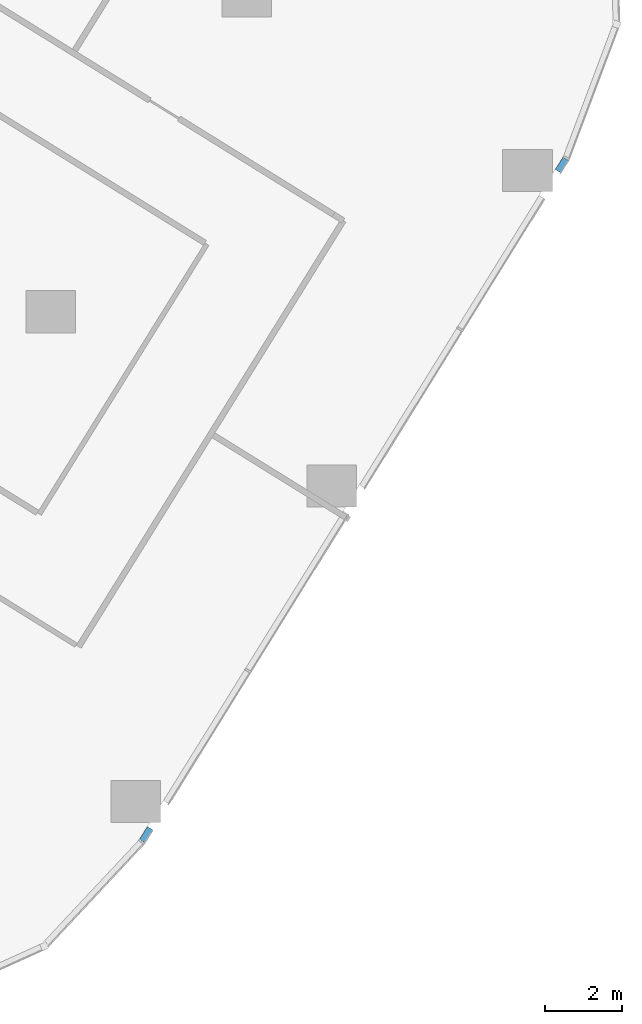
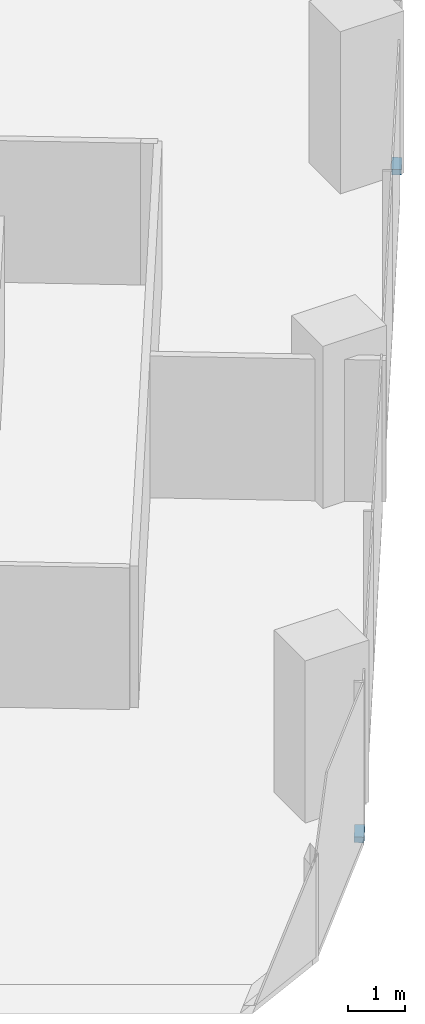
# One storey, part 16 of 34: 2 members, 1 element without a shape of its own.
"""IFC4 building model written with IfcOpenShell, lengths in metres."""

import ifcopenshell
import ifcopenshell.guid

model = None  # the IFC model being written
_history = None  # IfcOwnerHistory: only IFC2X3 demands one
_inside = {}  # id of a spatial element -> (the spatial element, [elements in it])
_under = {}  # id of a project, library or spatial element -> (it, [spatial elements below it])
_declared = {}  # id of a project -> (the project, [libraries it declares])
_typed = {}  # id of a type object -> (the type object, [elements of that type])
_made_of = {}  # id of a material, layer set ... -> (it, [elements and type objects made of it])


def new_model(schema):
    """Start an empty IFC model of exactly this schema.

    Asked for "IFC4X3", IfcOpenShell would pick the latest addendum, in which some entities
    have other attributes; the version numbers below select the first issue.
    IFC2X3 requires an IfcOwnerHistory on every rooted entity: one is made here for all.
    """
    global model, _history
    if schema == "IFC4X3":
        model = ifcopenshell.file(schema_version=(4, 3, 0, 0))
    else:
        model = ifcopenshell.file(schema=schema)
    _inside.clear()
    _under.clear()
    _declared.clear()
    _typed.clear()
    _made_of.clear()
    _history = None
    if model.schema == "IFC2X3":
        org = make("IfcOrganization", Name="unknown")
        user = make(
            "IfcPersonAndOrganization",
            ThePerson=make("IfcPerson", FamilyName="unknown"),
            TheOrganization=org,
        )
        app = make(
            "IfcApplication",
            ApplicationDeveloper=org,
            Version="unknown",
            ApplicationFullName="unknown",
            ApplicationIdentifier="unknown",
        )
        _history = make(
            "IfcOwnerHistory",
            OwningUser=user,
            OwningApplication=app,
            ChangeAction="ADDED",
            CreationDate=0,
        )
    return model


def make(cls, **values):
    """One entity of the class cls with the attributes given. An attribute that is None is left unset."""
    return model.create_entity(
        cls, **{name: value for name, value in values.items() if value is not None}
    )


def rooted(cls, **values):
    """An entity with a GlobalId (a new one), such as an element, a storey or a relation."""
    return make(cls, GlobalId=ifcopenshell.guid.new(), OwnerHistory=_history, **values)


def si_unit(unit_type, name, prefix=None):
    """IfcSIUnit, for example si_unit("LENGTHUNIT", "METRE", prefix="MILLI")."""
    return make("IfcSIUnit", UnitType=unit_type, Prefix=prefix, Name=name)


def assignment(units):
    """IfcUnitAssignment: the units of a project."""
    return None if units is None else make("IfcUnitAssignment", Units=units)


def point(xyz):
    """IfcCartesianPoint."""
    return None if xyz is None else make("IfcCartesianPoint", Coordinates=xyz)


def direction(xyz):
    """IfcDirection."""
    return None if xyz is None else make("IfcDirection", DirectionRatios=xyz)


def frame(location, z_axis=None, x_axis=None):
    """IfcAxis2Placement3D, a coordinate frame: its origin and axes. An axis left out is left unset."""
    return make(
        "IfcAxis2Placement3D",
        Location=point(location),
        Axis=direction(z_axis),
        RefDirection=direction(x_axis),
    )


def frame_2d(location, x_axis=None):
    """IfcAxis2Placement2D, a coordinate frame in the plane: its origin and x axis."""
    return make(
        "IfcAxis2Placement2D", Location=point(location), RefDirection=direction(x_axis)
    )


def origin():
    """The frame at (0, 0, 0) with its axes left unset."""
    return frame((0.0, 0.0, 0.0))


def origin_2d():
    """The frame at (0, 0) in the plane with its x axis left unset."""
    return frame_2d((0.0, 0.0))


def place(relative_to, where):
    """IfcLocalPlacement: puts the frame where relative to a parent placement (None: the world)."""
    return make(
        "IfcLocalPlacement", PlacementRelTo=relative_to, RelativePlacement=where
    )


def context(
    kind, dimensions, precision=None, world=None, true_north=None, identifier=None
):
    """IfcGeometricRepresentationContext, for example the 3D "Model" context."""
    return make(
        "IfcGeometricRepresentationContext",
        ContextIdentifier=identifier,
        ContextType=kind,
        CoordinateSpaceDimension=dimensions,
        Precision=precision,
        WorldCoordinateSystem=world,
        TrueNorth=true_north,
    )


def subcontext(parent, identifier, kind, view, scale=None):
    """IfcGeometricRepresentationSubContext, for example "Body" below "Model"."""
    return make(
        "IfcGeometricRepresentationSubContext",
        ContextIdentifier=identifier,
        ContextType=kind,
        ParentContext=parent,
        TargetScale=scale,
        TargetView=view,
    )


def project(units=None, contexts=None):
    """IfcProject with its units and contexts."""
    return rooted(
        "IfcProject",
        Name="project",
        RepresentationContexts=contexts,
        UnitsInContext=assignment(units),
    )


def spatial(cls, under=None, at=None, **own):
    """A site, building, storey or space (cls), placed at a placement, below another one or the project."""
    s = rooted(cls, ObjectPlacement=at, **own)
    if under is not None:
        _under.setdefault(under.id(), (under, []))[1].append(s)
    return s


def profile(cls, at=None, kind="AREA", **sizes):
    """A parametric profile (cls). Its sizes go by their IFC names, for example OverallWidth=200.0."""
    return make(cls, ProfileType=kind, Position=at, **sizes)


def rectangle(**sizes):
    """IfcRectangleProfileDef."""
    return profile("IfcRectangleProfileDef", **sizes)


def extrude(swept, where, along, depth):
    """IfcExtrudedAreaSolid: the profile swept, set in the frame where, extruded along a direction by depth."""
    return make(
        "IfcExtrudedAreaSolid",
        SweptArea=swept,
        Position=where,
        ExtrudedDirection=direction(along),
        Depth=depth,
    )


def shape(context_of_items, identifier, shape_type, items):
    """IfcShapeRepresentation: the items that make up one representation, for example the "Body"."""
    return make(
        "IfcShapeRepresentation",
        ContextOfItems=context_of_items,
        RepresentationIdentifier=identifier,
        RepresentationType=shape_type,
        Items=items,
    )


def material(Name=None, Category=None):
    """IfcMaterial."""
    return make("IfcMaterial", Name=Name, Category=Category)


def material_profile(
    of_material, cross_section, Name=None, Category=None, Priority=None
):
    """IfcMaterialProfile: a cross section and its material."""
    return make(
        "IfcMaterialProfile",
        Name=Name,
        Material=of_material,
        Profile=cross_section,
        Priority=Priority,
        Category=Category,
    )


def profile_set(profiles, Name=None, composite=None):
    """IfcMaterialProfileSet."""
    return make(
        "IfcMaterialProfileSet",
        Name=Name,
        MaterialProfiles=profiles,
        CompositeProfile=composite,
    )


def made_of(thing, what):
    """Note that an element or type object is made of a material, layer set ...; save() writes the relation."""
    if what is not None:
        _made_of.setdefault(what.id(), (what, []))[1].append(thing)
    return thing


def type_object(cls, material=None, **own):
    """A type object (cls), such as IfcWallType, which elements share."""
    return made_of(rooted(cls, **own), material)


def element(
    cls,
    number,
    at=None,
    inside=None,
    cuts=None,
    type_object=None,
    material=None,
    context=None,
    identifier="Body",
    shape_type=None,
    held_by="IfcProductDefinitionShape",
    body=None,
    shapes=None,
    **own,
):
    """One element of the class cls, such as IfcWall. Its Tag is "e" and its number.

    at: its placement. inside: the storey or other place that contains it. cuts: it is an
    opening in that element (IfcRelVoidsElement). A single representation is given by context,
    identifier, shape_type and body (its items); several are given by shapes. held_by: the class
    of the entity that holds the representations. save() writes the other relations.
    """
    e = rooted(cls, Tag="e%d" % number, ObjectPlacement=at, **own)
    if body is not None:
        shapes = [shape(context, identifier, shape_type, body)]
    if shapes is not None:
        e.Representation = make(held_by, Representations=shapes)
    if inside is not None:
        _inside.setdefault(inside.id(), (inside, []))[1].append(e)
    if cuts is not None:
        rooted(
            "IfcRelVoidsElement", RelatingBuildingElement=cuts, RelatedOpeningElement=e
        )
    if type_object is not None:
        _typed.setdefault(type_object.id(), (type_object, []))[1].append(e)
    return made_of(e, material)


def aggregate(whole, parts):
    """IfcRelAggregates: a whole, such as a stair, and the parts it consists of."""
    return rooted("IfcRelAggregates", RelatingObject=whole, RelatedObjects=parts)


def save(model, path):
    """Write the relations noted so far, then the file.

    IfcRelAggregates (storeys below a building ...), IfcRelContainedInSpatialStructure (elements
    in a storey), IfcRelDefinesByType, IfcRelAssociatesMaterial and IfcRelDeclares: one each for
    every whole, place, type object, material and project.
    """
    for whole, parts in _under.values():
        aggregate(whole, parts)
    for where, things in _inside.values():
        rooted(
            "IfcRelContainedInSpatialStructure",
            RelatedElements=things,
            RelatingStructure=where,
        )
    for kind, things in _typed.values():
        rooted("IfcRelDefinesByType", RelatedObjects=things, RelatingType=kind)
    for what, things in _made_of.values():
        rooted("IfcRelAssociatesMaterial", RelatedObjects=things, RelatingMaterial=what)
    for by, libraries in _declared.values():
        rooted("IfcRelDeclares", RelatingContext=by, RelatedDefinitions=libraries)
    model.write(path)


model = new_model("IFC4")

# Units and contexts
model_context = context("Model", 3, precision=1e-05, world=origin(), true_north=direction((0.0, 1.0)))
body_context = subcontext(model_context, "Body", "Model", "MODEL_VIEW")
ifc_project = project(units=[si_unit("LENGTHUNIT", "METRE"), si_unit("AREAUNIT", "SQUARE_METRE"), si_unit("VOLUMEUNIT", "CUBIC_METRE"), si_unit("PLANEANGLEUNIT", "RADIAN"), si_unit("MASSUNIT", "GRAM", prefix="KILO")], contexts=[model_context])

# Site, building, storey
site_placement = place(None, origin())
site = spatial("IfcSite", under=ifc_project, at=site_placement, CompositionType="ELEMENT")
building_placement = place(site_placement, origin())
building = spatial("IfcBuilding", under=site, at=building_placement, Name="Orlundy Tower", CompositionType="ELEMENT")
storey_placement = place(building_placement, frame((0.0, 0.0, 44.300048828125)))
storey = spatial("IfcBuildingStorey", under=building, at=storey_placement, Name="L09", CompositionType="ELEMENT", Elevation=44.300048828125)

# Curtain wall, members
ifc_material_1 = material(Name="Aluminium bronze anodised", Category="aluminium")
curtain_wall_type = type_object("IfcCurtainWallType", Name="CW1 wall", PredefinedType="NOTDEFINED", material=ifc_material_1)
curtain_wall_placement = place(storey_placement, origin())
curtain_wall = element("IfcCurtainWall", 1, at=curtain_wall_placement, inside=storey, type_object=curtain_wall_type, Name="CW1 run 011", PredefinedType="NOTDEFINED")
ifc_material_2 = material(Name="Aluminium bronze anodised", Category="aluminium")
ifc_material_profile = material_profile(ifc_material_2, rectangle(XDim=0.179931640625, YDim=0.1201171875, at=origin_2d()), Name="CW1 transom 180x120")
ifc_profile_set = profile_set([ifc_material_profile], Name="Aluminium bronze anodised")
member_type = type_object("IfcMemberType", Name="CW1 transom 180x120", PredefinedType="USERDEFINED", material=ifc_profile_set)
member_1_placement = place(storey_placement, frame((56.156982421875, -22.524169921875, -0.360107421875), z_axis=(-0.527507151748, -0.849550589933, 0.0), x_axis=(0.849550589933, -0.527507151748, 0.0)))
member_1 = element("IfcMember", 2, at=member_1_placement, type_object=member_type, Name="CW1 transom", ObjectType="TRANSOM", PredefinedType="USERDEFINED", context=body_context, shape_type="SweptSolid", body=[
    extrude(rectangle(XDim=0.179931640625, YDim=0.1201171875, at=origin_2d()), origin(), (0.0, 0.0, 1.0), 0.379150390625),
])
member_2_placement = place(storey_placement, frame((45.3017578125, -40.008056640625, -0.360107421875), z_axis=(-0.527848266373, -0.849338688443, 0.0), x_axis=(0.849338688443, -0.527848266373, 0.0)))
member_2 = element("IfcMember", 3, at=member_2_placement, type_object=member_type, Name="CW1 transom", ObjectType="TRANSOM", PredefinedType="USERDEFINED", context=body_context, shape_type="SweptSolid", body=[
    extrude(rectangle(XDim=0.179931640625, YDim=0.1201171875, at=origin_2d()), origin(), (0.0, 0.0, 1.0), 0.387939453125),
])
aggregate(curtain_wall, [member_1, member_2])

save(model, "model.ifc")
